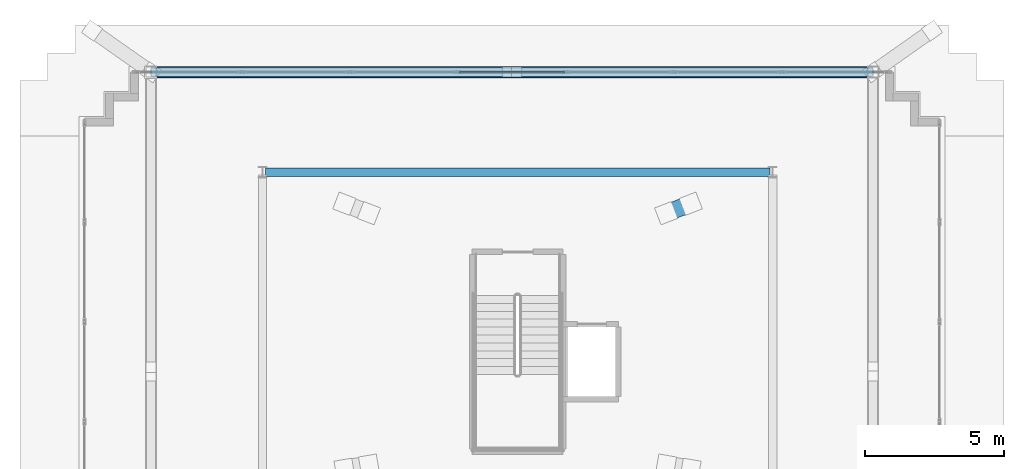
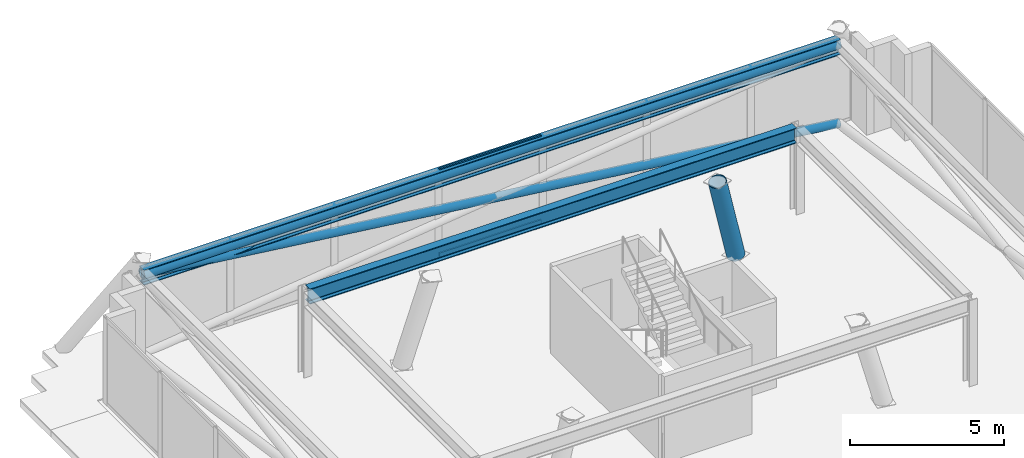
# One storey, part 8 of 15: 5 members, 2 beams, 1 element without a shape of its own.
"""IFC4 building model written with IfcOpenShell, lengths in metres."""

from ifc_helpers import new_model, si_unit, direction, frame, origin, origin_2d, place, context, subcontext, project, spatial, hollow_rectangle, hollow_circle, i_section, extrude, material, layer, layer_set, material_profile, profile_set, type_object, element, aggregate, save


model = new_model("IFC4")

# Units and contexts
model_context = context("Model", 3, precision=1e-05, world=origin(), true_north=direction((0.0, 1.0)))
body_context = subcontext(model_context, "Body", "Model", "MODEL_VIEW")
ifc_project = project(units=[si_unit("LENGTHUNIT", "METRE"), si_unit("AREAUNIT", "SQUARE_METRE"), si_unit("VOLUMEUNIT", "CUBIC_METRE"), si_unit("PLANEANGLEUNIT", "RADIAN"), si_unit("MASSUNIT", "GRAM", prefix="KILO")], contexts=[model_context])

# Site, building, storey
site_placement = place(None, origin())
site = spatial("IfcSite", under=ifc_project, at=site_placement, CompositionType="ELEMENT")
building_placement = place(site_placement, origin())
building = spatial("IfcBuilding", under=site, at=building_placement, Name="Qobustan Lattice House", CompositionType="ELEMENT")
storey_placement = place(building_placement, frame((0.0, 0.0, 281.60009765625)))
storey = spatial("IfcBuildingStorey", under=building, at=storey_placement, Name="L79", CompositionType="ELEMENT", Elevation=281.60009765625)

# Beams
ifc_material_1 = material(Name="Steel S355", Category="steel")
ifc_material_profile_1 = material_profile(ifc_material_1, i_section(OverallWidth=0.300048828125, OverallDepth=0.60009765625, WebThickness=0.015380859375, FlangeThickness=0.030029296875, FilletRadius=0.027099609375, at=origin_2d()), Name="HEB600")
ifc_profile_set_1 = profile_set([ifc_material_profile_1], Name="Steel S355")
beam_type = type_object("IfcBeamType", Name="BM-POD-HEB600", PredefinedType="USERDEFINED", material=ifc_profile_set_1)
beam_1_placement = place(storey_placement, frame((9.10009765625, 5.60009765625, 3.099853515625), z_axis=(-1.0, 0.0, 0.0), x_axis=(0.0, -1.0, 0.0)))
element("IfcBeam", 1, at=beam_1_placement, inside=storey, type_object=beam_type, Name="L79 crown support ring girder 3", ObjectType="GIRDER", PredefinedType="USERDEFINED", context=body_context, shape_type="SweptSolid", body=[
    extrude(i_section(OverallWidth=0.300048828125, OverallDepth=0.60009765625, WebThickness=0.015380859375, FlangeThickness=0.030029296875, FilletRadius=0.027099609375, at=origin_2d()), origin(), (0.0, 0.0, 1.0), 18.2001953125),
])
beam_2_placement = place(storey_placement, frame((12.820068359375, 9.205078125, 3.099853515625), z_axis=(-1.0, 0.0, 0.0), x_axis=(0.0, -1.0, 0.0)))
element("IfcBeam", 2, at=beam_2_placement, inside=storey, type_object=beam_type, Name="L79 crown perimeter ring beam 3", ObjectType="GIRDER", PredefinedType="USERDEFINED", context=body_context, shape_type="SweptSolid", body=[
    extrude(i_section(OverallWidth=0.300048828125, OverallDepth=0.60009765625, WebThickness=0.015380859375, FlangeThickness=0.030029296875, FilletRadius=0.027099609375, at=origin_2d()), origin(), (0.0, 0.0, 1.0), 26.0400390625),
])

# Curtain wall, members
ifc_material_2 = material(Name="Anodised aluminium and low-E glazing", Category="aluminium")
ifc_layer = layer(ifc_material_2, 0.219970703125)
ifc_layer_set = layer_set([ifc_layer], Name="Anodised aluminium and low-E glazing")
curtain_wall_type = type_object("IfcCurtainWallType", Name="CW-CRN-01", PredefinedType="USERDEFINED", material=ifc_layer_set)
curtain_wall_placement = place(storey_placement, origin())
curtain_wall = element("IfcCurtainWall", 3, at=curtain_wall_placement, inside=storey, type_object=curtain_wall_type, Name="L79 glass-point crown faceted curtain wall 10", ObjectType="CURTAIN WALL", PredefinedType="USERDEFINED")
ifc_material_3 = material(Name="Anodised aluminium EN AW-6063 T6", Category="aluminium")
ifc_material_profile_2 = material_profile(ifc_material_3, hollow_rectangle(XDim=0.06494140625, YDim=0.159912109375, WallThickness=0.00390625, at=origin_2d()), Name="CWT-160x65")
ifc_profile_set_2 = profile_set([ifc_material_profile_2], Name="Anodised aluminium EN AW-6063 T6")
member_type_1 = type_object("IfcMemberType", Name="CWT-HOR-160", PredefinedType="USERDEFINED", material=ifc_profile_set_2)
member_1_placement = place(storey_placement, frame((-2.100830078125, 9.205078125, 0.032470703125), z_axis=(1.0, 0.0, 0.0), x_axis=(0.0, 1.0, 0.0)))
member_1 = element("IfcMember", 4, at=member_1_placement, type_object=member_type_1, Name="CW-CR transom 4.1", ObjectType="TRANSOM", PredefinedType="USERDEFINED", context=body_context, shape_type="SweptSolid", body=[
    extrude(hollow_rectangle(XDim=0.06494140625, YDim=0.159912109375, WallThickness=0.00390625, at=origin_2d()), origin(), (0.0, 0.0, 1.0), 3.801513671875),
])
member_2_placement = place(storey_placement, frame((-2.100830078125, 9.205078125, 3.367431640625), z_axis=(1.0, 0.0, 0.0), x_axis=(0.0, 1.0, 0.0)))
member_2 = element("IfcMember", 5, at=member_2_placement, type_object=member_type_1, Name="CW-CR transom 4.2", ObjectType="TRANSOM", PredefinedType="USERDEFINED", context=body_context, shape_type="SweptSolid", body=[
    extrude(hollow_rectangle(XDim=0.06494140625, YDim=0.159912109375, WallThickness=0.00390625, at=origin_2d()), origin(), (0.0, 0.0, 1.0), 3.801513671875),
])
aggregate(curtain_wall, [member_1, member_2])

# Members
ifc_material_4 = material(Name="Steel S355", Category="steel")
ifc_material_profile_3 = material_profile(ifc_material_4, hollow_circle(Radius=0.161865234375, WallThickness=0.012451171875, at=origin_2d()), Name="CHS323.9x12.5")
ifc_profile_set_3 = profile_set([ifc_material_profile_3], Name="Steel S355")
member_type_2 = type_object("IfcMemberType", Name="MEM-CBR-CHS324", PredefinedType="BRACE", material=ifc_profile_set_3)
member_3_placement = place(storey_placement, frame((12.820068359375, 9.205078125, 0.014892578125), z_axis=(-0.992694242941, 0.0, 0.120657117621), x_axis=(0.0, -1.0, 0.0)))
element("IfcMember", 6, at=member_3_placement, inside=storey, type_object=member_type_2, Name="L79 crown diagrid continuous brace 3A", PredefinedType="BRACE", context=body_context, shape_type="SweptSolid", body=[
    extrude(hollow_circle(Radius=0.161865234375, WallThickness=0.012451171875, at=origin_2d()), origin(), (0.0, 0.0, 1.0), 26.231689453125),
])
ifc_material_5 = material(Name="Steel S355", Category="steel")
ifc_material_profile_4 = material_profile(ifc_material_5, hollow_circle(Radius=0.203125, WallThickness=0.01611328125, at=origin_2d()), Name="CHS406.4x16")
ifc_profile_set_4 = profile_set([ifc_material_profile_4], Name="Steel S355")
member_type_3 = type_object("IfcMemberType", Name="MEM-RNG-CHS406", PredefinedType="CHORD", material=ifc_profile_set_4)
member_4_placement = place(storey_placement, frame((12.820068359375, 9.205078125, 3.179931640625), z_axis=(-1.0, 0.0, 0.0), x_axis=(0.0, -1.0, 0.0)))
element("IfcMember", 7, at=member_4_placement, inside=storey, type_object=member_type_3, Name="L79 crown ring chord 3", PredefinedType="CHORD", context=body_context, shape_type="SweptSolid", body=[
    extrude(hollow_circle(Radius=0.203125, WallThickness=0.01611328125, at=origin_2d()), origin(), (0.0, 0.0, 1.0), 26.0400390625),
])
ifc_material_6 = material(Name="Steel S355", Category="steel")
ifc_material_profile_5 = material_profile(ifc_material_6, hollow_circle(Radius=0.304931640625, WallThickness=0.02490234375, at=origin_2d()), Name="CHS610x25")
ifc_profile_set_5 = profile_set([ifc_material_profile_5], Name="Steel S355")
member_type_4 = type_object("IfcMemberType", Name="MEM-SPR-CHS610", PredefinedType="USERDEFINED", material=ifc_profile_set_5)
member_5_placement = place(storey_placement, frame((6.244384765625, 4.4599609375, 0.0), z_axis=(-0.249766744968, -0.09630894986, 0.963504623385), x_axis=(0.35977564332, -0.933038845104, 0.0)))
element("IfcMember", 8, at=member_5_placement, inside=storey, type_object=member_type_4, Name="L79 crown spire leg SL3", ObjectType="CROWN FRAME", PredefinedType="USERDEFINED", context=body_context, shape_type="SweptSolid", body=[
    extrude(hollow_circle(Radius=0.304931640625, WallThickness=0.02490234375, at=origin_2d()), origin(), (0.0, 0.0, 1.0), 3.528564453125),
])

save(model, "model.ifc")
